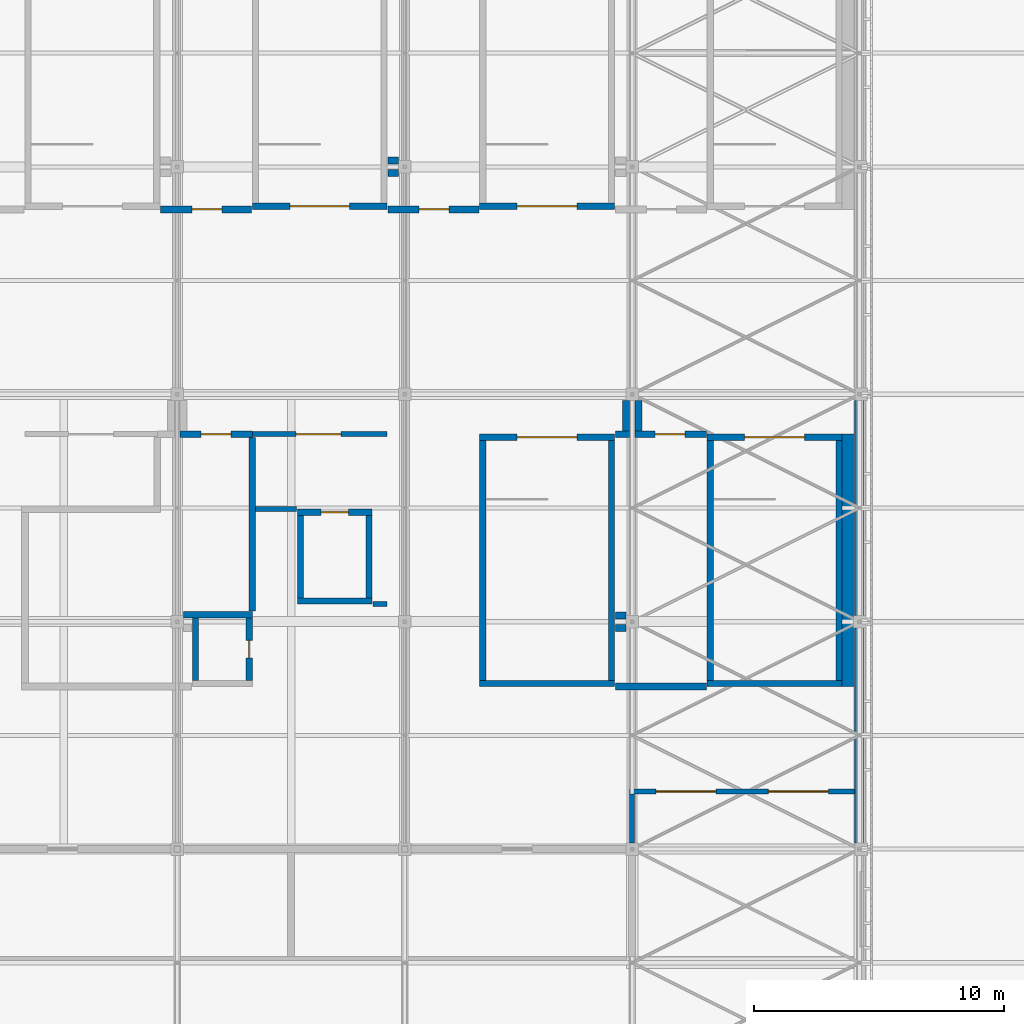
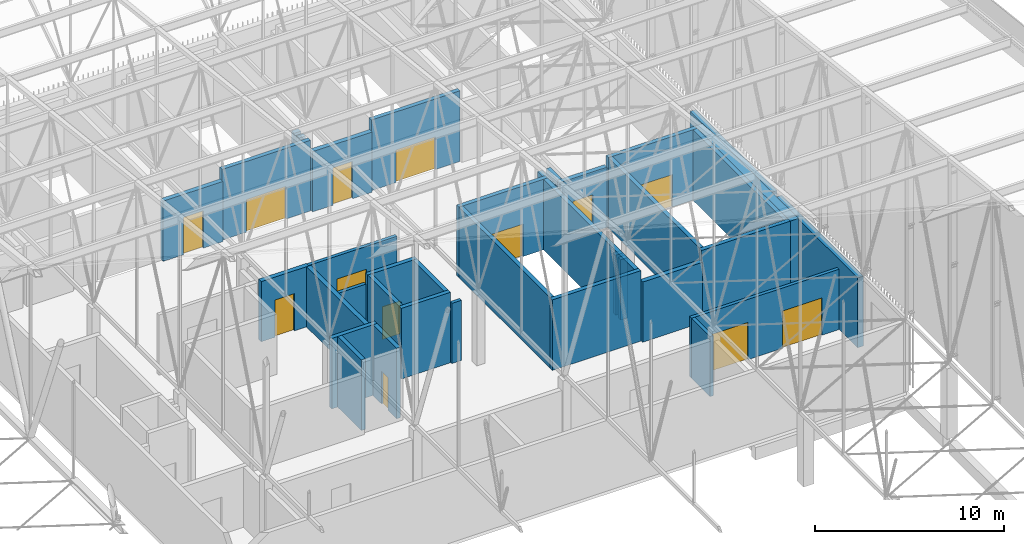
# One storey, part 437 of 500: 38 walls, 13 doors, 13 openings.
"""IFC4 building model written with IfcOpenShell, lengths in metres."""

from ifc_helpers import new_model, si_unit, direction, frame, frame_2d, origin, place, context, subcontext, project, spatial, rectangle, extrude, material, layer, layer_set, type_object, element, fill, save


model = new_model("IFC4")

# Units and contexts
model_context = context("Model", 3, precision=1e-05, world=origin(), true_north=direction((0.0, 1.0)))
body_context = subcontext(model_context, "Body", "Model", "MODEL_VIEW")
ifc_project = project(units=[si_unit("LENGTHUNIT", "METRE"), si_unit("AREAUNIT", "SQUARE_METRE"), si_unit("VOLUMEUNIT", "CUBIC_METRE"), si_unit("PLANEANGLEUNIT", "RADIAN"), si_unit("MASSUNIT", "GRAM", prefix="KILO")], contexts=[model_context])

# Site, building, storey
site_placement = place(None, origin())
site = spatial("IfcSite", under=ifc_project, at=site_placement, CompositionType="ELEMENT")
building_placement = place(site_placement, origin())
building = spatial("IfcBuilding", under=site, at=building_placement, Name="Shirokan Park Arena", CompositionType="ELEMENT")
storey_placement = place(building_placement, frame((0.0, 0.0, 29.1201171875)))
storey = spatial("IfcBuildingStorey", under=building, at=storey_placement, Name="L06", CompositionType="ELEMENT", Elevation=29.1201171875)

# Walls
ifc_material_1 = material(Name="Gypsum board")
ifc_layer_1 = layer(ifc_material_1, 0.02490234375, Name="Gypsum board, two layers")
ifc_material_2 = material(Name="Mineral wool insulation")
ifc_layer_2 = layer(ifc_material_2, 0.14990234375, Name="Mineral wool insulation")
ifc_layer_3 = layer(ifc_material_1, 0.02490234375, Name="Gypsum board, two layers")
ifc_layer_set_1 = layer_set([ifc_layer_1, ifc_layer_2, ifc_layer_3], Name="Gypsum board, two layers + Mineral wool insulation")
wall_type_1 = type_object("IfcWallType", Name="Corridor wall 200", PredefinedType="PARTITIONING", material=ifc_layer_set_1)
wall_1_placement = place(storey_placement, frame((123.070068359375, 86.39990234375, 0.0), z_axis=(0.0, 0.0, 1.0), x_axis=(-1.0, 0.0, 0.0)))
element("IfcWall", 1, at=wall_1_placement, inside=storey, type_object=wall_type_1, Name="Corridor wall 200 L06", PredefinedType="PARTITIONING", context=body_context, shape_type="SweptSolid", body=[
    extrude(rectangle(XDim=1.632568359375, YDim=0.199951171875, at=frame_2d((0.81640625, 0.0))), origin(), (0.0, 0.0, 1.0), 3.8798828125),
])
wall_2_placement = place(storey_placement, frame((126.699951171875, 82.60009765625, 0.0), z_axis=(0.0, 0.0, 1.0), x_axis=(-1.0, 0.0, 0.0)))
element("IfcWall", 2, at=wall_2_placement, inside=storey, type_object=wall_type_1, Name="Corridor wall 200 L06", PredefinedType="PARTITIONING", context=body_context, shape_type="SweptSolid", body=[
    extrude(rectangle(XDim=0.570068359375, YDim=0.199951171875, at=frame_2d((0.28515625, 0.0))), origin(), (0.0, 0.0, 1.0), 3.8798828125),
])

# Wall, opening, door
wall_3_placement = place(storey_placement, frame((126.699951171875, 89.39990234375, 0.0), z_axis=(0.0, 0.0, 1.0), x_axis=(-1.0, 0.0, 0.0)))
wall_3 = element("IfcWall", 3, at=wall_3_placement, inside=storey, type_object=wall_type_1, Name="Corridor wall 200 L06", PredefinedType="PARTITIONING", context=body_context, shape_type="SweptSolid", body=[
    extrude(rectangle(XDim=5.39990234375, YDim=0.199951171875, at=frame_2d((2.699951171875, 0.0))), origin(), (0.0, 0.0, 1.0), 3.8798828125),
])
opening_1_placement = place(wall_3_placement, frame((1.85009765625, 0.0, 0.0)))
opening_1 = element("IfcOpeningElement", 4, at=opening_1_placement, cuts=wall_3, Name="Opening D-6055", PredefinedType="OPENING", context=body_context, shape_type="SweptSolid", body=[
    extrude(rectangle(XDim=1.800048828125, YDim=2.39990234375, at=frame_2d((0.89990234375, 1.199951171875))), frame((0.0, 0.10986328125, 0.0), z_axis=(0.0, -1.0, 0.0), x_axis=(1.0, 0.0, 0.0)), (0.0, 0.0, 1.0), 0.219970703125),
])
ifc_material_3 = material(Name="Glazed steel door set, fire resisting", Category="steel")
door_type_1 = type_object("IfcDoorType", Name="Lift lobby door 1800 x 2400", OperationType="DOUBLE_DOOR_SINGLE_SWING", PredefinedType="DOOR", material=ifc_material_3)
door_1_placement = place(opening_1_placement, origin())
door_1 = element("IfcDoor", 5, at=door_1_placement, inside=storey, type_object=door_type_1, Name="Door between Plant Gallery 3.6.1 and Service Lift Lobby 3.6 D-6055", OperationType="DOUBLE_DOOR_SINGLE_SWING", OverallHeight=2.39990234375, OverallWidth=1.800048828125, PredefinedType="DOOR", context=body_context, shape_type="SweptSolid", body=[
    extrude(rectangle(XDim=1.800048828125, YDim=2.39990234375, at=frame_2d((0.89990234375, 1.199951171875))), frame((0.0, 0.02490234375, 0.0), z_axis=(0.0, -1.0, 0.0), x_axis=(1.0, 0.0, 0.0)), (0.0, 0.0, 1.0), 0.050048828125),
])
fill(opening_1, door_1)

# Wall
wall_4_placement = place(storey_placement, frame((136.5, 75.0, 0.0), z_axis=(0.0, 0.0, 1.0), x_axis=(0.0, -1.0, 0.0)))
element("IfcWall", 6, at=wall_4_placement, inside=storey, type_object=wall_type_1, Name="Corridor wall 200 L06", PredefinedType="PARTITIONING", context=body_context, shape_type="SweptSolid", body=[
    extrude(rectangle(XDim=1.949951171875, YDim=0.199951171875, at=frame_2d((0.97509765625, 0.0))), origin(), (0.0, 0.0, 1.0), 3.8798828125),
])

# Wall, openings, doors
wall_5_placement = place(storey_placement, frame((145.39990234375, 75.10009765625, 0.0), z_axis=(0.0, 0.0, 1.0), x_axis=(-1.0, 0.0, 0.0)))
wall_5 = element("IfcWall", 7, at=wall_5_placement, inside=storey, type_object=wall_type_1, Name="Corridor wall 200 L06", PredefinedType="PARTITIONING", context=body_context, shape_type="SweptSolid", body=[
    extrude(rectangle(XDim=9.0, YDim=0.199951171875, at=frame_2d((4.5, 0.0))), origin(), (0.0, 0.0, 1.0), 3.8798828125),
])
opening_2_placement = place(wall_5_placement, frame((1.050048828125, 0.0, 0.0)))
opening_2 = element("IfcOpeningElement", 8, at=opening_2_placement, cuts=wall_5, Name="Opening D-6052", PredefinedType="OPENING", context=body_context, shape_type="SweptSolid", body=[
    extrude(rectangle(XDim=2.39990234375, YDim=2.39990234375, at=frame_2d((1.199951171875, 1.199951171875))), frame((0.0, 0.10986328125, 0.0), z_axis=(0.0, -1.0, 0.0), x_axis=(1.0, 0.0, 0.0)), (0.0, 0.0, 1.0), 0.219970703125),
])
opening_3_placement = place(wall_5_placement, frame((5.550048828125, 0.0, 0.0)))
opening_3 = element("IfcOpeningElement", 9, at=opening_3_placement, cuts=wall_5, Name="Opening D-6053", PredefinedType="OPENING", context=body_context, shape_type="SweptSolid", body=[
    extrude(rectangle(XDim=2.39990234375, YDim=2.39990234375, at=frame_2d((1.199951171875, 1.199951171875))), frame((0.0, 0.10986328125, 0.0), z_axis=(0.0, -1.0, 0.0), x_axis=(1.0, 0.0, 0.0)), (0.0, 0.0, 1.0), 0.219970703125),
])
ifc_material_4 = material(Name="Steel door set, fire resisting", Category="steel")
door_type_2 = type_object("IfcDoorType", Name="Double door 2400 x 2400", OperationType="DOUBLE_DOOR_SINGLE_SWING", PredefinedType="DOOR", material=ifc_material_4)
door_2_placement = place(opening_2_placement, origin())
door_2 = element("IfcDoor", 10, at=door_2_placement, inside=storey, type_object=door_type_2, Name="Door between Service Corridor 3.6 and Concourse Link 3.6 D-6052", OperationType="DOUBLE_DOOR_SINGLE_SWING", OverallHeight=2.39990234375, OverallWidth=2.39990234375, PredefinedType="DOOR", context=body_context, shape_type="SweptSolid", body=[
    extrude(rectangle(XDim=2.39990234375, YDim=2.39990234375, at=frame_2d((1.199951171875, 1.199951171875))), frame((0.0, 0.02490234375, 0.0), z_axis=(0.0, -1.0, 0.0), x_axis=(1.0, 0.0, 0.0)), (0.0, 0.0, 1.0), 0.050048828125),
])
fill(opening_2, door_2)
door_3_placement = place(opening_3_placement, origin())
door_3 = element("IfcDoor", 11, at=door_3_placement, inside=storey, type_object=door_type_2, Name="Door between Service Corridor 3.6 and Concourse Link 3.6 D-6053", OperationType="DOUBLE_DOOR_SINGLE_SWING", OverallHeight=2.39990234375, OverallWidth=2.39990234375, PredefinedType="DOOR", context=body_context, shape_type="SweptSolid", body=[
    extrude(rectangle(XDim=2.39990234375, YDim=2.39990234375, at=frame_2d((1.199951171875, 1.199951171875))), frame((0.0, 0.02490234375, 0.0), z_axis=(0.0, -1.0, 0.0), x_axis=(1.0, 0.0, 0.0)), (0.0, 0.0, 1.0), 0.050048828125),
])
fill(opening_3, door_3)

# Walls
ifc_material_5 = material(Name="Cedar cladding")
ifc_layer_4 = layer(ifc_material_5, 0.030029296875, Name="Cedar cladding")
ifc_layer_5 = layer(ifc_material_2, 0.10009765625, Name="Mineral wool insulation")
ifc_material_6 = material(Name="Concrete C35", Category="concrete")
ifc_layer_6 = layer(ifc_material_6, 0.199951171875, Name="Concrete C35")
ifc_material_7 = material(Name="Gypsum board lining")
ifc_layer_7 = layer(ifc_material_7, 0.02001953125, Name="Gypsum board lining")
ifc_layer_set_2 = layer_set([ifc_layer_4, ifc_layer_5, ifc_layer_6, ifc_layer_7], Name="Cedar cladding + Mineral wool insulation + Concrete C35 + Gypsum board lining")
wall_type_2 = type_object("IfcWallType", Name="Insulated tower wall 350", PredefinedType="SOLIDWALL", material=ifc_layer_set_2)
wall_6_placement = place(storey_placement, frame((145.574951171875, 73.050048828125, 0.0), z_axis=(0.0, 0.0, 1.0), x_axis=(0.0, 1.0, 0.0)))
element("IfcWall", 12, at=wall_6_placement, inside=storey, type_object=wall_type_2, Name="East facade wall bay 9 L06", PredefinedType="SOLIDWALL", context=body_context, shape_type="SweptSolid", body=[
    extrude(rectangle(XDim=8.599853515625, YDim=0.35009765625, at=frame_2d((4.2998046875, 0.0))), origin(), (0.0, 0.0, 1.0), 4.5),
])
wall_7_placement = place(storey_placement, frame((145.574951171875, 82.14990234375, 0.0), z_axis=(0.0, 0.0, 1.0), x_axis=(0.0, 1.0, 0.0)))
element("IfcWall", 13, at=wall_7_placement, inside=storey, type_object=wall_type_2, Name="East facade wall bay 10 L06", PredefinedType="SOLIDWALL", context=body_context, shape_type="SweptSolid", body=[
    extrude(rectangle(XDim=8.60009765625, YDim=0.35009765625, at=frame_2d((4.300048828125, 0.0))), origin(), (0.0, 0.0, 1.0), 4.5),
])

# Wall, opening, door
ifc_material_8 = material(Name="Plaster")
ifc_layer_8 = layer(ifc_material_8, 0.012451171875, Name="Plaster")
ifc_material_9 = material(Name="Concrete blockwork", Category="masonry")
ifc_layer_9 = layer(ifc_material_9, 0.25, Name="Concrete blockwork 250")
ifc_layer_10 = layer(ifc_material_8, 0.012451171875, Name="Plaster")
ifc_layer_set_3 = layer_set([ifc_layer_8, ifc_layer_9, ifc_layer_10], Name="Plaster + Concrete blockwork 250")
wall_type_3 = type_object("IfcWallType", Name="Plant room wall 275", PredefinedType="SOLIDWALL", material=ifc_layer_set_3)
wall_8_placement = place(storey_placement, frame((117.6298828125, 98.39990234375, 0.0), z_axis=(0.0, 0.0, 1.0), x_axis=(1.0, 0.0, 0.0)))
wall_8 = element("IfcWall", 14, at=wall_8_placement, inside=storey, type_object=wall_type_3, Name="Plant room wall 275 L06", PredefinedType="SOLIDWALL", context=body_context, shape_type="SweptSolid", body=[
    extrude(rectangle(XDim=3.64013671875, YDim=0.27490234375, at=frame_2d((1.820068359375, 0.0))), origin(), (0.0, 0.0, 1.0), 3.8798828125),
])
opening_4_placement = place(wall_8_placement, frame((1.25, 0.0, 0.0)))
opening_4 = element("IfcOpeningElement", 15, at=opening_4_placement, cuts=wall_8, Name="Opening D-6027", PredefinedType="OPENING", context=body_context, shape_type="SweptSolid", body=[
    extrude(rectangle(XDim=1.199951171875, YDim=2.39990234375, at=frame_2d((0.60009765625, 1.199951171875))), frame((0.0, 0.1474609375, 0.0), z_axis=(0.0, -1.0, 0.0), x_axis=(1.0, 0.0, 0.0)), (0.0, 0.0, 1.0), 0.294921875),
])
ifc_material_10 = material(Name="Louvred steel door set, fire resisting", Category="steel")
door_type_3 = type_object("IfcDoorType", Name="Plant room door 1200 x 2400", OperationType="SINGLE_SWING_LEFT", PredefinedType="DOOR", material=ifc_material_10)
door_4_placement = place(opening_4_placement, origin())
door_4 = element("IfcDoor", 16, at=door_4_placement, inside=storey, type_object=door_type_3, Name="Door to Plant Store 6.32 D-6027", OperationType="SINGLE_SWING_LEFT", OverallHeight=2.39990234375, OverallWidth=1.199951171875, PredefinedType="DOOR", context=body_context, shape_type="SweptSolid", body=[
    extrude(rectangle(XDim=1.199951171875, YDim=2.39990234375, at=frame_2d((0.60009765625, 1.199951171875))), frame((0.0, 0.02490234375, 0.0), z_axis=(0.0, -1.0, 0.0), x_axis=(1.0, 0.0, 0.0)), (0.0, 0.0, 1.0), 0.050048828125),
])
fill(opening_4, door_4)

# Wall
wall_9_placement = place(storey_placement, frame((121.300048828125, 82.330078125, 0.0), z_axis=(0.0, 0.0, 1.0), x_axis=(0.0, 1.0, 0.0)))
element("IfcWall", 17, at=wall_9_placement, inside=storey, type_object=wall_type_3, Name="Plant room wall 275 L06", PredefinedType="SOLIDWALL", context=body_context, shape_type="SweptSolid", body=[
    extrude(rectangle(XDim=6.932373046875, YDim=0.27490234375, at=frame_2d((3.46630859375, 0.0))), origin(), (0.0, 0.0, 1.0), 3.8798828125),
])

# Wall, opening, door
wall_10_placement = place(storey_placement, frame((121.300048828125, 89.39990234375, 0.0), z_axis=(0.0, 0.0, 1.0), x_axis=(-1.0, 0.0, 0.0)))
wall_10 = element("IfcWall", 18, at=wall_10_placement, inside=storey, type_object=wall_type_3, Name="Plant room wall 275 L06", PredefinedType="SOLIDWALL", context=body_context, shape_type="SweptSolid", body=[
    extrude(rectangle(XDim=2.887451171875, YDim=0.27490234375, at=frame_2d((1.44384765625, 0.0))), origin(), (0.0, 0.0, 1.0), 3.8798828125),
])
opening_5_placement = place(wall_10_placement, frame((0.85009765625, 0.0, 0.0)))
opening_5 = element("IfcOpeningElement", 19, at=opening_5_placement, cuts=wall_10, Name="Opening D-6023", PredefinedType="OPENING", context=body_context, shape_type="SweptSolid", body=[
    extrude(rectangle(XDim=1.199951171875, YDim=2.39990234375, at=frame_2d((0.60009765625, 1.199951171875))), frame((0.0, 0.1474609375, 0.0), z_axis=(0.0, -1.0, 0.0), x_axis=(1.0, 0.0, 0.0)), (0.0, 0.0, 1.0), 0.294921875),
])
door_5_placement = place(opening_5_placement, origin())
door_5 = element("IfcDoor", 20, at=door_5_placement, inside=storey, type_object=door_type_3, Name="Door to Tank Room 6.38 D-6023", OperationType="SINGLE_SWING_LEFT", OverallHeight=2.39990234375, OverallWidth=1.199951171875, PredefinedType="DOOR", context=body_context, shape_type="SweptSolid", body=[
    extrude(rectangle(XDim=1.199951171875, YDim=2.39990234375, at=frame_2d((0.60009765625, 1.199951171875))), frame((0.0, 0.02490234375, 0.0), z_axis=(0.0, -1.0, 0.0), x_axis=(1.0, 0.0, 0.0)), (0.0, 0.0, 1.0), 0.050048828125),
])
fill(opening_5, door_5)

wall_11_placement = place(storey_placement, frame((126.72998046875, 98.39990234375, 0.0), z_axis=(0.0, 0.0, 1.0), x_axis=(1.0, 0.0, 0.0)))
wall_11 = element("IfcWall", 21, at=wall_11_placement, inside=storey, type_object=wall_type_3, Name="Plant room wall 275 L06", PredefinedType="SOLIDWALL", context=body_context, shape_type="SweptSolid", body=[
    extrude(rectangle(XDim=3.64013671875, YDim=0.27490234375, at=frame_2d((1.820068359375, 0.0))), origin(), (0.0, 0.0, 1.0), 3.8798828125),
])
opening_6_placement = place(wall_11_placement, frame((1.25, 0.0, 0.0)))
opening_6 = element("IfcOpeningElement", 22, at=opening_6_placement, cuts=wall_11, Name="Opening D-6026", PredefinedType="OPENING", context=body_context, shape_type="SweptSolid", body=[
    extrude(rectangle(XDim=1.199951171875, YDim=2.39990234375, at=frame_2d((0.60009765625, 1.199951171875))), frame((0.0, 0.1474609375, 0.0), z_axis=(0.0, -1.0, 0.0), x_axis=(1.0, 0.0, 0.0)), (0.0, 0.0, 1.0), 0.294921875),
])
door_6_placement = place(opening_6_placement, origin())
door_6 = element("IfcDoor", 23, at=door_6_placement, inside=storey, type_object=door_type_3, Name="Door to Plant Store 6.31 D-6026", OperationType="SINGLE_SWING_LEFT", OverallHeight=2.39990234375, OverallWidth=1.199951171875, PredefinedType="DOOR", context=body_context, shape_type="SweptSolid", body=[
    extrude(rectangle(XDim=1.199951171875, YDim=2.39990234375, at=frame_2d((0.60009765625, 1.199951171875))), frame((0.0, 0.02490234375, 0.0), z_axis=(0.0, -1.0, 0.0), x_axis=(1.0, 0.0, 0.0)), (0.0, 0.0, 1.0), 0.050048828125),
])
fill(opening_6, door_6)

# Walls
for number, where, z_axis, x_axis, name in (
    (24, (126.72998046875, 99.85009765625, 0.0), (0.0, 0.0, 1.0), (1.0, 0.0, 0.0), "Plant room wall 275 L06"),
    (25, (127.14990234375, 100.35009765625, 0.0), (0.0, 0.0, 1.0), (-1.0, 0.0, 0.0), "Plant room wall 275 L06"),
    (26, (135.830078125, 81.64990234375, 0.0), (0.0, 0.0, 1.0), (1.0, 0.0, 0.0), "Plant room wall 275 L06"),
    (27, (136.25, 82.14990234375, 0.0), (0.0, 0.0, 1.0), (-1.0, 0.0, 0.0), "Plant room wall 275 L06"),
):
    element("IfcWall", number, at=place(storey_placement, frame(where, z_axis=z_axis, x_axis=x_axis)), inside=storey, type_object=wall_type_3, Name=name, PredefinedType="SOLIDWALL", context=body_context, shape_type="SweptSolid", body=[
        extrude(rectangle(XDim=0.419921875, YDim=0.27490234375, at=frame_2d((0.2099609375, 0.0))), origin(), (0.0, 0.0, 1.0), 3.8798828125),
    ])
wall_12_placement = place(storey_placement, frame((136.25, 90.75, 0.0), z_axis=(0.0, 0.0, 1.0), x_axis=(0.0, -1.0, 0.0)))
element("IfcWall", 28, at=wall_12_placement, inside=storey, type_object=wall_type_3, Name="Plant room wall 275 L06", PredefinedType="SOLIDWALL", context=body_context, shape_type="SweptSolid", body=[
    extrude(rectangle(XDim=1.21240234375, YDim=0.27490234375, at=frame_2d((0.606201171875, 0.0))), origin(), (0.0, 0.0, 1.0), 3.8798828125),
])
wall_13_placement = place(storey_placement, frame((136.387451171875, 89.39990234375, 0.0), z_axis=(0.0, 0.0, 1.0), x_axis=(-1.0, 0.0, 0.0)))
element("IfcWall", 29, at=wall_13_placement, inside=storey, type_object=wall_type_3, Name="Plant room wall 275 L06", PredefinedType="SOLIDWALL", context=body_context, shape_type="SweptSolid", body=[
    extrude(rectangle(XDim=0.557373046875, YDim=0.27490234375, at=frame_2d((0.27880859375, 0.0))), origin(), (0.0, 0.0, 1.0), 3.8798828125),
])
wall_14_placement = place(storey_placement, frame((136.75, 89.53759765625, 0.0), z_axis=(0.0, 0.0, 1.0), x_axis=(0.0, 1.0, 0.0)))
element("IfcWall", 30, at=wall_14_placement, inside=storey, type_object=wall_type_3, Name="Plant room wall 275 L06", PredefinedType="SOLIDWALL", context=body_context, shape_type="SweptSolid", body=[
    extrude(rectangle(XDim=1.21240234375, YDim=0.27490234375, at=frame_2d((0.606201171875, 0.0))), origin(), (0.0, 0.0, 1.0), 3.8798828125),
])
wall_15_placement = place(storey_placement, frame((139.469970703125, 79.300048828125, 0.0), z_axis=(0.0, 0.0, 1.0), x_axis=(-1.0, 0.0, 0.0)))
element("IfcWall", 31, at=wall_15_placement, inside=storey, type_object=wall_type_3, Name="Plant room wall 275 L06", PredefinedType="SOLIDWALL", context=body_context, shape_type="SweptSolid", body=[
    extrude(rectangle(XDim=3.639892578125, YDim=0.27490234375, at=frame_2d((1.81982421875, 0.0))), origin(), (0.0, 0.0, 1.0), 3.8798828125),
])

# Wall, opening, door
wall_16_placement = place(storey_placement, frame((139.469970703125, 89.39990234375, 0.0), z_axis=(0.0, 0.0, 1.0), x_axis=(-1.0, 0.0, 0.0)))
wall_16 = element("IfcWall", 32, at=wall_16_placement, inside=storey, type_object=wall_type_3, Name="Plant room wall 275 L06", PredefinedType="SOLIDWALL", context=body_context, shape_type="SweptSolid", body=[
    extrude(rectangle(XDim=2.857421875, YDim=0.27490234375, at=frame_2d((1.4287109375, 0.0))), origin(), (0.0, 0.0, 1.0), 3.8798828125),
])
opening_7_placement = place(wall_16_placement, frame((0.85009765625, 0.0, 0.0)))
opening_7 = element("IfcOpeningElement", 33, at=opening_7_placement, cuts=wall_16, Name="Opening D-6022", PredefinedType="OPENING", context=body_context, shape_type="SweptSolid", body=[
    extrude(rectangle(XDim=1.199951171875, YDim=2.39990234375, at=frame_2d((0.60009765625, 1.199951171875))), frame((0.0, 0.1474609375, 0.0), z_axis=(0.0, -1.0, 0.0), x_axis=(1.0, 0.0, 0.0)), (0.0, 0.0, 1.0), 0.294921875),
])
door_7_placement = place(opening_7_placement, origin())
door_7 = element("IfcDoor", 34, at=door_7_placement, inside=storey, type_object=door_type_3, Name="Door to Communications Room 6.37 D-6022", OperationType="SINGLE_SWING_LEFT", OverallHeight=2.39990234375, OverallWidth=1.199951171875, PredefinedType="DOOR", context=body_context, shape_type="SweptSolid", body=[
    extrude(rectangle(XDim=1.199951171875, YDim=2.39990234375, at=frame_2d((0.60009765625, 1.199951171875))), frame((0.0, 0.02490234375, 0.0), z_axis=(0.0, -1.0, 0.0), x_axis=(1.0, 0.0, 0.0)), (0.0, 0.0, 1.0), 0.050048828125),
])
fill(opening_7, door_7)

# Walls
ifc_material_11 = material(Name="Concrete C40/50", Category="concrete")
ifc_layer_11 = layer(ifc_material_11, 0.25)
ifc_layer_set_4 = layer_set([ifc_layer_11], Name="Concrete C40/50 250 mm")
wall_type_4 = type_object("IfcWallType", Name="RC shear wall 250", PredefinedType="SHEAR", material=ifc_layer_set_4)
wall_17_placement = place(storey_placement, frame((121.300048828125, 82.175048828125, 0.0), z_axis=(0.0, 0.0, 1.0), x_axis=(-1.0, 0.0, 0.0)))
element("IfcWall", 35, at=wall_17_placement, inside=storey, type_object=wall_type_4, Name="Shaft wall Services Riser 3.2 N L06", PredefinedType="SHEAR", context=body_context, shape_type="SweptSolid", body=[
    extrude(rectangle(XDim=2.75, YDim=0.25, at=frame_2d((1.375, 0.0))), origin(), (0.0, 0.0, 1.0), 4.5498046875),
])
wall_18_placement = place(storey_placement, frame((119.02490234375, 82.050048828125, 0.0), z_axis=(0.0, 0.0, 1.0), x_axis=(0.0, -1.0, 0.0)))
element("IfcWall", 36, at=wall_18_placement, inside=storey, type_object=wall_type_4, Name="Shaft wall Services Riser 3.2 W L06", PredefinedType="SHEAR", context=body_context, shape_type="SweptSolid", body=[
    extrude(rectangle(XDim=2.5, YDim=0.25, at=frame_2d((1.25, 0.0))), origin(), (0.0, 0.0, 1.0), 4.5498046875),
])

# Wall, opening, door
wall_19_placement = place(storey_placement, frame((121.175048828125, 82.050048828125, 0.0), z_axis=(0.0, 0.0, 1.0), x_axis=(0.0, -1.0, 0.0)))
wall_19 = element("IfcWall", 37, at=wall_19_placement, inside=storey, type_object=wall_type_4, Name="Shaft wall Services Riser 3.2 E L06", PredefinedType="SHEAR", context=body_context, shape_type="SweptSolid", body=[
    extrude(rectangle(XDim=2.5, YDim=0.25, at=frame_2d((1.25, 0.0))), origin(), (0.0, 0.0, 1.0), 4.5498046875),
])
opening_8_placement = place(wall_19_placement, frame((0.89990234375, 0.0, 0.0)))
opening_8 = element("IfcOpeningElement", 38, at=opening_8_placement, cuts=wall_19, Name="Opening D-6065", PredefinedType="OPENING", context=body_context, shape_type="SweptSolid", body=[
    extrude(rectangle(XDim=0.699951171875, YDim=2.10009765625, at=frame_2d((0.35009765625, 1.050048828125))), frame((0.0, 0.135009765625, 0.0), z_axis=(0.0, -1.0, 0.0), x_axis=(1.0, 0.0, 0.0)), (0.0, 0.0, 1.0), 0.27001953125),
])
door_type_4 = type_object("IfcDoorType", Name="Mechanical riser door 700 x 2100", OperationType="SINGLE_SWING_LEFT", PredefinedType="DOOR", material=ifc_material_4)
door_8_placement = place(opening_8_placement, origin())
door_8 = element("IfcDoor", 39, at=door_8_placement, inside=storey, type_object=door_type_4, Name="Riser access door Services Riser 3.2 D-6065", OperationType="SINGLE_SWING_RIGHT", OverallHeight=2.10009765625, OverallWidth=0.699951171875, PredefinedType="DOOR", context=body_context, shape_type="SweptSolid", body=[
    extrude(rectangle(XDim=0.699951171875, YDim=2.10009765625, at=frame_2d((0.35009765625, 1.050048828125))), frame((0.0, 0.02490234375, 0.0), z_axis=(0.0, -1.0, 0.0), x_axis=(1.0, 0.0, 0.0)), (0.0, 0.0, 1.0), 0.050048828125),
])
fill(opening_8, door_8)

# Wall
wall_20_placement = place(storey_placement, frame((126.10009765625, 82.72509765625, 0.0), z_axis=(0.0, 0.0, 1.0), x_axis=(-1.0, 0.0, 0.0)))
element("IfcWall", 40, at=wall_20_placement, inside=storey, type_object=wall_type_4, Name="Shaft wall Service Lift 3 S L06", PredefinedType="SHEAR", context=body_context, shape_type="SweptSolid", body=[
    extrude(rectangle(XDim=3.0, YDim=0.25, at=frame_2d((1.5, 0.0))), origin(), (0.0, 0.0, 1.0), 4.5498046875),
])

# Wall, opening, door
wall_21_placement = place(storey_placement, frame((126.10009765625, 86.27490234375, 0.0), z_axis=(0.0, 0.0, 1.0), x_axis=(-1.0, 0.0, 0.0)))
wall_21 = element("IfcWall", 41, at=wall_21_placement, inside=storey, type_object=wall_type_4, Name="Shaft wall Service Lift 3 N L06", PredefinedType="SHEAR", context=body_context, shape_type="SweptSolid", body=[
    extrude(rectangle(XDim=3.0, YDim=0.25, at=frame_2d((1.5, 0.0))), origin(), (0.0, 0.0, 1.0), 4.5498046875),
])
opening_9_placement = place(wall_21_placement, frame((0.949951171875, 0.0, 0.0)))
opening_9 = element("IfcOpeningElement", 42, at=opening_9_placement, cuts=wall_21, Name="Opening LD69", PredefinedType="OPENING", context=body_context, shape_type="SweptSolid", body=[
    extrude(rectangle(XDim=1.10009765625, YDim=2.10009765625, at=frame_2d((0.550048828125, 1.050048828125))), frame((0.0, 0.135009765625, 0.0), z_axis=(0.0, -1.0, 0.0), x_axis=(1.0, 0.0, 0.0)), (0.0, 0.0, 1.0), 0.27001953125),
])
ifc_material_12 = material(Name="Stainless steel", Category="steel")
door_type_5 = type_object("IfcDoorType", Name="Lift landing door 1100x2100", OperationType="DOUBLE_DOOR_SLIDING", PredefinedType="DOOR", material=ifc_material_12)
door_9_placement = place(opening_9_placement, origin())
door_9 = element("IfcDoor", 43, at=door_9_placement, inside=storey, type_object=door_type_5, Name="Lift landing door Service Lift 3 L06", OperationType="DOUBLE_DOOR_SLIDING", OverallHeight=2.10009765625, OverallWidth=1.10009765625, PredefinedType="DOOR", context=body_context, shape_type="SweptSolid", body=[
    extrude(rectangle(XDim=1.10009765625, YDim=2.10009765625, at=frame_2d((0.550048828125, 1.050048828125))), frame((0.0, 0.02490234375, 0.0), z_axis=(0.0, -1.0, 0.0), x_axis=(1.0, 0.0, 0.0)), (0.0, 0.0, 1.0), 0.050048828125),
])
fill(opening_9, door_9)

# Walls
for number, where, z_axis, x_axis, name in (
    (44, (123.22509765625, 86.14990234375, 0.0), (0.0, 0.0, 1.0), (0.0, -1.0, 0.0), "Shaft wall Service Lift 3 W L06"),
    (45, (125.97509765625, 86.14990234375, 0.0), (0.0, 0.0, 1.0), (0.0, -1.0, 0.0), "Shaft wall Service Lift 3 E L06"),
):
    element("IfcWall", number, at=place(storey_placement, frame(where, z_axis=z_axis, x_axis=x_axis)), inside=storey, type_object=wall_type_4, Name=name, PredefinedType="SHEAR", context=body_context, shape_type="SweptSolid", body=[
        extrude(rectangle(XDim=3.2998046875, YDim=0.25, at=frame_2d((1.64990234375, 0.0))), origin(), (0.0, 0.0, 1.0), 4.5498046875),
    ])

# Wall, opening, door
wall_22_placement = place(storey_placement, frame((135.800048828125, 98.52490234375, 0.0), z_axis=(0.0, 0.0, 1.0), x_axis=(-1.0, 0.0, 0.0)))
wall_22 = element("IfcWall", 46, at=wall_22_placement, inside=storey, type_object=wall_type_4, Name="Shaft wall Exit Stair 3.B S L06", PredefinedType="SHEAR", context=body_context, shape_type="SweptSolid", body=[
    extrude(rectangle(XDim=5.400146484375, YDim=0.25, at=frame_2d((2.7001953125, 0.0))), origin(), (0.0, 0.0, 1.0), 4.5498046875),
])
opening_10_placement = place(wall_22_placement, frame((1.5, 0.0, 0.0)))
opening_10 = element("IfcOpeningElement", 47, at=opening_10_placement, cuts=wall_22, Name="Opening D-6084", PredefinedType="OPENING", context=body_context, shape_type="SweptSolid", body=[
    extrude(rectangle(XDim=2.39990234375, YDim=2.10009765625, at=frame_2d((1.199951171875, 1.050048828125))), frame((0.0, 0.135009765625, 0.0), z_axis=(0.0, -1.0, 0.0), x_axis=(1.0, 0.0, 0.0)), (0.0, 0.0, 1.0), 0.27001953125),
])
door_type_6 = type_object("IfcDoorType", Name="Stair door 2400 x 2100", OperationType="DOUBLE_DOOR_SINGLE_SWING", PredefinedType="DOOR", material=ifc_material_4)
door_10_placement = place(opening_10_placement, origin())
door_10 = element("IfcDoor", 48, at=door_10_placement, inside=storey, type_object=door_type_6, Name="Stair door Exit Stair 3.B D-6084", OperationType="DOUBLE_DOOR_SINGLE_SWING", OverallHeight=2.10009765625, OverallWidth=2.39990234375, PredefinedType="DOOR", context=body_context, shape_type="SweptSolid", body=[
    extrude(rectangle(XDim=2.39990234375, YDim=2.10009765625, at=frame_2d((1.199951171875, 1.050048828125))), frame((0.0, 0.02490234375, 0.0), z_axis=(0.0, -1.0, 0.0), x_axis=(1.0, 0.0, 0.0)), (0.0, 0.0, 1.0), 0.050048828125),
])
fill(opening_10, door_10)

wall_23_placement = place(storey_placement, frame((126.699951171875, 98.52490234375, 0.0), z_axis=(0.0, 0.0, 1.0), x_axis=(-1.0, 0.0, 0.0)))
wall_23 = element("IfcWall", 49, at=wall_23_placement, inside=storey, type_object=wall_type_4, Name="Shaft wall Exit Stair 3.C S L06", PredefinedType="SHEAR", context=body_context, shape_type="SweptSolid", body=[
    extrude(rectangle(XDim=5.39990234375, YDim=0.25, at=frame_2d((2.699951171875, 0.0))), origin(), (0.0, 0.0, 1.0), 4.5498046875),
])
opening_11_placement = place(wall_23_placement, frame((1.5, 0.0, 0.0)))
opening_11 = element("IfcOpeningElement", 50, at=opening_11_placement, cuts=wall_23, Name="Opening D-6085", PredefinedType="OPENING", context=body_context, shape_type="SweptSolid", body=[
    extrude(rectangle(XDim=2.39990234375, YDim=2.10009765625, at=frame_2d((1.199951171875, 1.050048828125))), frame((0.0, 0.135009765625, 0.0), z_axis=(0.0, -1.0, 0.0), x_axis=(1.0, 0.0, 0.0)), (0.0, 0.0, 1.0), 0.27001953125),
])
door_11_placement = place(opening_11_placement, origin())
door_11 = element("IfcDoor", 51, at=door_11_placement, inside=storey, type_object=door_type_6, Name="Stair door Exit Stair 3.C D-6085", OperationType="DOUBLE_DOOR_SINGLE_SWING", OverallHeight=2.10009765625, OverallWidth=2.39990234375, PredefinedType="DOOR", context=body_context, shape_type="SweptSolid", body=[
    extrude(rectangle(XDim=2.39990234375, YDim=2.10009765625, at=frame_2d((1.199951171875, 1.050048828125))), frame((0.0, 0.02490234375, 0.0), z_axis=(0.0, -1.0, 0.0), x_axis=(1.0, 0.0, 0.0)), (0.0, 0.0, 1.0), 0.050048828125),
])
fill(opening_11, door_11)

# Wall
wall_24_placement = place(storey_placement, frame((144.89990234375, 79.425048828125, 0.0), z_axis=(0.0, 0.0, 1.0), x_axis=(-1.0, 0.0, 0.0)))
element("IfcWall", 52, at=wall_24_placement, inside=storey, type_object=wall_type_4, Name="Shaft wall Exit Stair 3.E S L06", PredefinedType="SHEAR", context=body_context, shape_type="SweptSolid", body=[
    extrude(rectangle(XDim=5.39990234375, YDim=0.25, at=frame_2d((2.699951171875, 0.0))), origin(), (0.0, 0.0, 1.0), 4.5498046875),
])

# Wall, opening, door
wall_25_placement = place(storey_placement, frame((144.89990234375, 89.27490234375, 0.0), z_axis=(0.0, 0.0, 1.0), x_axis=(-1.0, 0.0, 0.0)))
wall_25 = element("IfcWall", 53, at=wall_25_placement, inside=storey, type_object=wall_type_4, Name="Shaft wall Exit Stair 3.E N L06", PredefinedType="SHEAR", context=body_context, shape_type="SweptSolid", body=[
    extrude(rectangle(XDim=5.39990234375, YDim=0.25, at=frame_2d((2.699951171875, 0.0))), origin(), (0.0, 0.0, 1.0), 4.5498046875),
])
opening_12_placement = place(wall_25_placement, frame((1.5, 0.0, 0.0)))
opening_12 = element("IfcOpeningElement", 54, at=opening_12_placement, cuts=wall_25, Name="Opening D-6087", PredefinedType="OPENING", context=body_context, shape_type="SweptSolid", body=[
    extrude(rectangle(XDim=2.39990234375, YDim=2.10009765625, at=frame_2d((1.199951171875, 1.050048828125))), frame((0.0, 0.135009765625, 0.0), z_axis=(0.0, -1.0, 0.0), x_axis=(1.0, 0.0, 0.0)), (0.0, 0.0, 1.0), 0.27001953125),
])
door_12_placement = place(opening_12_placement, origin())
door_12 = element("IfcDoor", 55, at=door_12_placement, inside=storey, type_object=door_type_6, Name="Stair door Exit Stair 3.E D-6087", OperationType="DOUBLE_DOOR_SINGLE_SWING", OverallHeight=2.10009765625, OverallWidth=2.39990234375, PredefinedType="DOOR", context=body_context, shape_type="SweptSolid", body=[
    extrude(rectangle(XDim=2.39990234375, YDim=2.10009765625, at=frame_2d((1.199951171875, 1.050048828125))), frame((0.0, 0.02490234375, 0.0), z_axis=(0.0, -1.0, 0.0), x_axis=(1.0, 0.0, 0.0)), (0.0, 0.0, 1.0), 0.050048828125),
])
fill(opening_12, door_12)

# Walls
for number, where, z_axis, x_axis, name in (
    (56, (139.625, 89.14990234375, 0.0), (0.0, 0.0, 1.0), (0.0, -1.0, 0.0), "Shaft wall Exit Stair 3.E W L06"),
    (57, (144.77490234375, 89.14990234375, 0.0), (0.0, 0.0, 1.0), (0.0, -1.0, 0.0), "Shaft wall Exit Stair 3.E E L06"),
):
    element("IfcWall", number, at=place(storey_placement, frame(where, z_axis=z_axis, x_axis=x_axis)), inside=storey, type_object=wall_type_4, Name=name, PredefinedType="SHEAR", context=body_context, shape_type="SweptSolid", body=[
        extrude(rectangle(XDim=9.599853515625, YDim=0.25, at=frame_2d((4.7998046875, 0.0))), origin(), (0.0, 0.0, 1.0), 4.5498046875),
    ])
wall_26_placement = place(storey_placement, frame((135.800048828125, 79.425048828125, 0.0), z_axis=(0.0, 0.0, 1.0), x_axis=(-1.0, 0.0, 0.0)))
element("IfcWall", 58, at=wall_26_placement, inside=storey, type_object=wall_type_4, Name="Shaft wall Exit Stair 3.F S L06", PredefinedType="SHEAR", context=body_context, shape_type="SweptSolid", body=[
    extrude(rectangle(XDim=5.400146484375, YDim=0.25, at=frame_2d((2.7001953125, 0.0))), origin(), (0.0, 0.0, 1.0), 4.5498046875),
])

# Wall, opening, door
wall_27_placement = place(storey_placement, frame((135.800048828125, 89.27490234375, 0.0), z_axis=(0.0, 0.0, 1.0), x_axis=(-1.0, 0.0, 0.0)))
wall_27 = element("IfcWall", 59, at=wall_27_placement, inside=storey, type_object=wall_type_4, Name="Shaft wall Exit Stair 3.F N L06", PredefinedType="SHEAR", context=body_context, shape_type="SweptSolid", body=[
    extrude(rectangle(XDim=5.400146484375, YDim=0.25, at=frame_2d((2.7001953125, 0.0))), origin(), (0.0, 0.0, 1.0), 4.5498046875),
])
opening_13_placement = place(wall_27_placement, frame((1.5, 0.0, 0.0)))
opening_13 = element("IfcOpeningElement", 60, at=opening_13_placement, cuts=wall_27, Name="Opening D-6088", PredefinedType="OPENING", context=body_context, shape_type="SweptSolid", body=[
    extrude(rectangle(XDim=2.39990234375, YDim=2.10009765625, at=frame_2d((1.199951171875, 1.050048828125))), frame((0.0, 0.135009765625, 0.0), z_axis=(0.0, -1.0, 0.0), x_axis=(1.0, 0.0, 0.0)), (0.0, 0.0, 1.0), 0.27001953125),
])
door_13_placement = place(opening_13_placement, origin())
door_13 = element("IfcDoor", 61, at=door_13_placement, inside=storey, type_object=door_type_6, Name="Stair door Exit Stair 3.F D-6088", OperationType="DOUBLE_DOOR_SINGLE_SWING", OverallHeight=2.10009765625, OverallWidth=2.39990234375, PredefinedType="DOOR", context=body_context, shape_type="SweptSolid", body=[
    extrude(rectangle(XDim=2.39990234375, YDim=2.10009765625, at=frame_2d((1.199951171875, 1.050048828125))), frame((0.0, 0.02490234375, 0.0), z_axis=(0.0, -1.0, 0.0), x_axis=(1.0, 0.0, 0.0)), (0.0, 0.0, 1.0), 0.050048828125),
])
fill(opening_13, door_13)

# Walls
for number, where, z_axis, x_axis, name in (
    (62, (130.52490234375, 89.14990234375, 0.0), (0.0, 0.0, 1.0), (0.0, -1.0, 0.0), "Shaft wall Exit Stair 3.F W L06"),
    (63, (135.675048828125, 89.14990234375, 0.0), (0.0, 0.0, 1.0), (0.0, -1.0, 0.0), "Shaft wall Exit Stair 3.F E L06"),
):
    element("IfcWall", number, at=place(storey_placement, frame(where, z_axis=z_axis, x_axis=x_axis)), inside=storey, type_object=wall_type_4, Name=name, PredefinedType="SHEAR", context=body_context, shape_type="SweptSolid", body=[
        extrude(rectangle(XDim=9.599853515625, YDim=0.25, at=frame_2d((4.7998046875, 0.0))), origin(), (0.0, 0.0, 1.0), 4.5498046875),
    ])
ifc_layer_12 = layer(ifc_material_6, 0.5)
ifc_layer_set_5 = layer_set([ifc_layer_12], Name="Concrete C35 500 mm")
wall_type_5 = type_object("IfcWallType", Name="Shaft infill wall 500", PredefinedType="SOLIDWALL", material=ifc_layer_set_5)
wall_28_placement = place(storey_placement, frame((145.14990234375, 79.300048828125, 0.0), z_axis=(0.0, 0.0, 1.0), x_axis=(0.0, 1.0, 0.0)))
element("IfcWall", 64, at=wall_28_placement, inside=storey, type_object=wall_type_5, Name="Shaft infill wall L06", PredefinedType="SOLIDWALL", context=body_context, shape_type="SweptSolid", body=[
    extrude(rectangle(XDim=10.099853515625, YDim=0.5, at=frame_2d((5.0498046875, 0.0))), origin(), (0.0, 0.0, 1.0), 4.5498046875),
])

save(model, "model.ifc")
